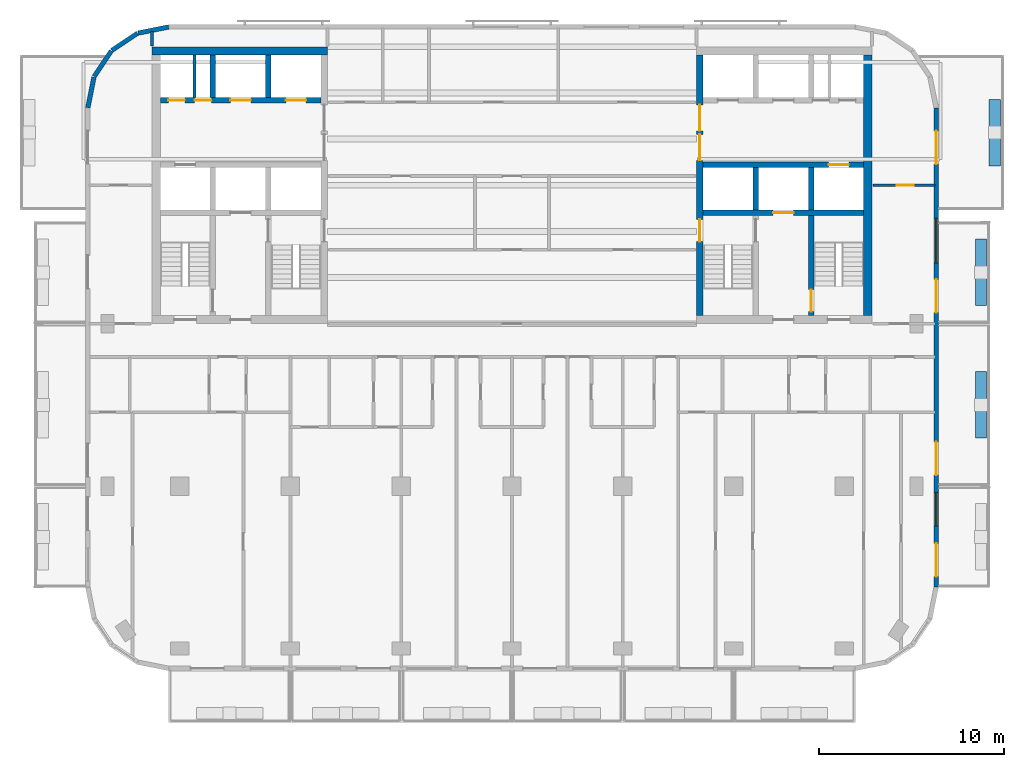
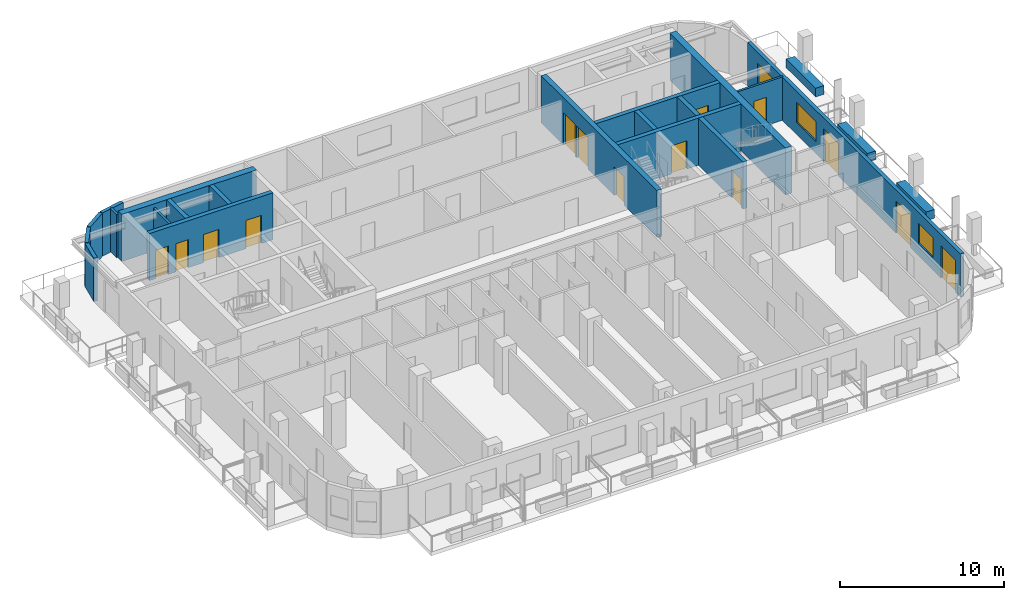
# One storey, part 6 of 11: 22 walls, 15 doors, 2 windows, 17 openings.
"""IFC4 building model written with IfcOpenShell, lengths in metres."""

from ifc_helpers import new_model, si_unit, direction, frame, frame_2d, origin, place, context, subcontext, project, spatial, rectangle, extrude, material, layer, layer_set, type_object, element, fill, save


model = new_model("IFC4")

# Units and contexts
model_context = context("Model", 3, precision=1e-05, world=origin(), true_north=direction((0.0, 1.0)))
body_context = subcontext(model_context, "Body", "Model", "MODEL_VIEW")
ifc_project = project(units=[si_unit("LENGTHUNIT", "METRE"), si_unit("AREAUNIT", "SQUARE_METRE"), si_unit("VOLUMEUNIT", "CUBIC_METRE"), si_unit("PLANEANGLEUNIT", "RADIAN"), si_unit("MASSUNIT", "GRAM", prefix="KILO")], contexts=[model_context])

# Site, building, storey
site_placement = place(None, origin())
site = spatial("IfcSite", under=ifc_project, at=site_placement, CompositionType="ELEMENT")
building_placement = place(site_placement, origin())
building = spatial("IfcBuilding", under=site, at=building_placement, Name="Torana Hotel and Residences", CompositionType="ELEMENT")
storey_placement = place(building_placement, frame((0.0, 0.0, 259.60009765625)))
storey = spatial("IfcBuildingStorey", under=building, at=storey_placement, Name="L68", CompositionType="ELEMENT", Elevation=259.60009765625)

# Wall, openings, doors
ifc_material_1 = material(Name="Concrete C60/75", Category="concrete")
ifc_layer_1 = layer(ifc_material_1, 0.300048828125)
ifc_layer_set_1 = layer_set([ifc_layer_1], Name="CORE WALL 300 C60/75")
wall_type_1 = type_object("IfcWallType", Name="CORE WALL 300 C60/75", PredefinedType="SHEAR", material=ifc_layer_set_1)
wall_1_placement = place(storey_placement, frame((-19.050048828125, -2.89990234375, 0.0), z_axis=(0.0, 0.0, 1.0), x_axis=(1.0, 0.0, 0.0)))
wall_1 = element("IfcWall", 1, at=wall_1_placement, inside=storey, type_object=wall_type_1, Name="Core wall W row-N", PredefinedType="SHEAR", context=body_context, shape_type="SweptSolid", body=[
    extrude(rectangle(XDim=8.699951171875, YDim=0.300048828125, at=frame_2d((4.35009765625, 0.0))), origin(), (0.0, 0.0, 1.0), 3.5),
])
opening_1_placement = place(wall_1_placement, frame((6.800048828125, 0.0, 0.0)))
opening_1 = element("IfcOpeningElement", 2, at=opening_1_placement, cuts=wall_1, Name="Opening LD", PredefinedType="OPENING", context=body_context, shape_type="SweptSolid", body=[
    extrude(rectangle(XDim=1.10009765625, YDim=2.10009765625, at=frame_2d((0.550048828125, 1.050048828125))), frame((0.0, 0.159912109375, 0.0), z_axis=(0.0, -1.0, 0.0), x_axis=(1.0, 0.0, 0.0)), (0.0, 0.0, 1.0), 0.320068359375),
])
opening_2_placement = place(wall_1_placement, frame((3.800048828125, 0.0, 0.0)))
opening_2 = element("IfcOpeningElement", 3, at=opening_2_placement, cuts=wall_1, Name="Opening LD", PredefinedType="OPENING", context=body_context, shape_type="SweptSolid", body=[
    extrude(rectangle(XDim=1.10009765625, YDim=2.10009765625, at=frame_2d((0.550048828125, 1.050048828125))), frame((0.0, 0.159912109375, 0.0), z_axis=(0.0, -1.0, 0.0), x_axis=(1.0, 0.0, 0.0)), (0.0, 0.0, 1.0), 0.320068359375),
])
opening_3_placement = place(wall_1_placement, frame((1.862548828125, 0.0, 0.0)))
opening_3 = element("IfcOpeningElement", 4, at=opening_3_placement, cuts=wall_1, Name="Opening L68-06", PredefinedType="OPENING", context=body_context, shape_type="SweptSolid", body=[
    extrude(rectangle(XDim=0.89990234375, YDim=2.10009765625, at=frame_2d((0.449951171875, 1.050048828125))), frame((0.0, 0.159912109375, 0.0), z_axis=(0.0, -1.0, 0.0), x_axis=(1.0, 0.0, 0.0)), (0.0, 0.0, 1.0), 0.320068359375),
])
opening_4_placement = place(wall_1_placement, frame((0.4375, 0.0, 0.0)))
opening_4 = element("IfcOpeningElement", 5, at=opening_4_placement, cuts=wall_1, Name="Opening L68-07", PredefinedType="OPENING", context=body_context, shape_type="SweptSolid", body=[
    extrude(rectangle(XDim=0.89990234375, YDim=2.10009765625, at=frame_2d((0.449951171875, 1.050048828125))), frame((0.0, 0.159912109375, 0.0), z_axis=(0.0, -1.0, 0.0), x_axis=(1.0, 0.0, 0.0)), (0.0, 0.0, 1.0), 0.320068359375),
])
ifc_material_2 = material(Name="Stainless steel 316", Category="steel")
door_type_1 = type_object("IfcDoorType", Name="LIFT LANDING DOOR LD 1100x2100", OperationType="DOUBLE_DOOR_SLIDING", PredefinedType="USERDEFINED", material=ifc_material_2)
door_1_placement = place(opening_1_placement, origin())
door_1 = element("IfcDoor", 6, at=door_1_placement, inside=storey, type_object=door_type_1, Name="Lift landing door H1 L68", ObjectType="LIFT LANDING DOOR", OperationType="DOUBLE_DOOR_SLIDING", OverallHeight=2.10009765625, OverallWidth=1.10009765625, PredefinedType="USERDEFINED", context=body_context, shape_type="SweptSolid", body=[
    extrude(rectangle(XDim=1.10009765625, YDim=2.10009765625, at=frame_2d((0.550048828125, 1.050048828125))), frame((0.0, 0.02490234375, 0.0), z_axis=(0.0, -1.0, 0.0), x_axis=(1.0, 0.0, 0.0)), (0.0, 0.0, 1.0), 0.050048828125),
])
fill(opening_1, door_1)
door_2_placement = place(opening_2_placement, origin())
door_2 = element("IfcDoor", 7, at=door_2_placement, inside=storey, type_object=door_type_1, Name="Lift landing door H2 L68", ObjectType="LIFT LANDING DOOR", OperationType="DOUBLE_DOOR_SLIDING", OverallHeight=2.10009765625, OverallWidth=1.10009765625, PredefinedType="USERDEFINED", context=body_context, shape_type="SweptSolid", body=[
    extrude(rectangle(XDim=1.10009765625, YDim=2.10009765625, at=frame_2d((0.550048828125, 1.050048828125))), frame((0.0, 0.02490234375, 0.0), z_axis=(0.0, -1.0, 0.0), x_axis=(1.0, 0.0, 0.0)), (0.0, 0.0, 1.0), 0.050048828125),
])
fill(opening_2, door_2)
ifc_material_3 = material(Name="Steel S235", Category="steel")
door_type_2 = type_object("IfcDoorType", Name="RISER ACCESS DOOR D5 900x2100", OperationType="SINGLE_SWING_LEFT", PredefinedType="DOOR", material=ifc_material_3)
door_3_placement = place(opening_3_placement, origin())
door_3 = element("IfcDoor", 8, at=door_3_placement, inside=storey, type_object=door_type_2, Name="N2A door L68", OperationType="SINGLE_SWING_LEFT", OverallHeight=2.10009765625, OverallWidth=0.89990234375, PredefinedType="DOOR", context=body_context, shape_type="SweptSolid", body=[
    extrude(rectangle(XDim=0.89990234375, YDim=2.10009765625, at=frame_2d((0.449951171875, 1.050048828125))), frame((0.0, 0.02490234375, 0.0), z_axis=(0.0, -1.0, 0.0), x_axis=(1.0, 0.0, 0.0)), (0.0, 0.0, 1.0), 0.050048828125),
])
fill(opening_3, door_3)
door_4_placement = place(opening_4_placement, origin())
door_4 = element("IfcDoor", 9, at=door_4_placement, inside=storey, type_object=door_type_2, Name="N2B door L68", OperationType="SINGLE_SWING_RIGHT", OverallHeight=2.10009765625, OverallWidth=0.89990234375, PredefinedType="DOOR", context=body_context, shape_type="SweptSolid", body=[
    extrude(rectangle(XDim=0.89990234375, YDim=2.10009765625, at=frame_2d((0.449951171875, 1.050048828125))), frame((0.0, 0.02490234375, 0.0), z_axis=(0.0, -1.0, 0.0), x_axis=(1.0, 0.0, 0.0)), (0.0, 0.0, 1.0), 0.050048828125),
])
fill(opening_4, door_4)

# Walls
for number, where, z_axis, x_axis, name in (
    (10, (-13.199951171875, -2.75, 0.0), (0.0, 0.0, 1.0), (0.0, 1.0, 0.0), "Core wall W x3.05-N"),
    (11, (-16.199951171875, -2.75, 0.0), (0.0, 0.0, 1.0), (0.0, 1.0, 0.0), "Core wall W x6.05-N"),
):
    element("IfcWall", number, at=place(storey_placement, frame(where, z_axis=z_axis, x_axis=x_axis)), inside=storey, type_object=wall_type_1, Name=name, PredefinedType="SHEAR", context=body_context, shape_type="SweptSolid", body=[
        extrude(rectangle(XDim=2.300048828125, YDim=0.300048828125, at=frame_2d((1.14990234375, 0.0))), origin(), (0.0, 0.0, 1.0), 3.5),
    ])

# Wall, opening, door
wall_2_placement = place(storey_placement, frame((10.35009765625, -6.39990234375, 0.0), z_axis=(0.0, 0.0, 1.0), x_axis=(1.0, 0.0, 0.0)))
wall_2 = element("IfcWall", 12, at=wall_2_placement, inside=storey, type_object=wall_type_1, Name="Core wall E row-S", PredefinedType="SHEAR", context=body_context, shape_type="SweptSolid", body=[
    extrude(rectangle(XDim=8.699951171875, YDim=0.300048828125, at=frame_2d((4.35009765625, 0.0))), origin(), (0.0, 0.0, 1.0), 3.5),
])
opening_5_placement = place(wall_2_placement, frame((6.800048828125, 0.0, 0.0)))
opening_5 = element("IfcOpeningElement", 13, at=opening_5_placement, cuts=wall_2, Name="Opening LD", PredefinedType="OPENING", context=body_context, shape_type="SweptSolid", body=[
    extrude(rectangle(XDim=1.10009765625, YDim=2.10009765625, at=frame_2d((0.550048828125, 1.050048828125))), frame((0.0, 0.159912109375, 0.0), z_axis=(0.0, -1.0, 0.0), x_axis=(1.0, 0.0, 0.0)), (0.0, 0.0, 1.0), 0.320068359375),
])
door_5_placement = place(opening_5_placement, origin())
door_5 = element("IfcDoor", 14, at=door_5_placement, inside=storey, type_object=door_type_1, Name="Lift landing door SV2 L68", ObjectType="LIFT LANDING DOOR", OperationType="DOUBLE_DOOR_SLIDING", OverallHeight=2.10009765625, OverallWidth=1.10009765625, PredefinedType="USERDEFINED", context=body_context, shape_type="SweptSolid", body=[
    extrude(rectangle(XDim=1.10009765625, YDim=2.10009765625, at=frame_2d((0.550048828125, 1.050048828125))), frame((0.0, 0.02490234375, 0.0), z_axis=(0.0, -1.0, 0.0), x_axis=(1.0, 0.0, 0.0)), (0.0, 0.0, 1.0), 0.050048828125),
])
fill(opening_5, door_5)

wall_3_placement = place(storey_placement, frame((10.35009765625, -9.0, 0.0), z_axis=(0.0, 0.0, 1.0), x_axis=(1.0, 0.0, 0.0)))
wall_3 = element("IfcWall", 15, at=wall_3_placement, inside=storey, type_object=wall_type_1, Name="Core wall E band", PredefinedType="SHEAR", context=body_context, shape_type="SweptSolid", body=[
    extrude(rectangle(XDim=8.699951171875, YDim=0.300048828125, at=frame_2d((4.35009765625, 0.0))), origin(), (0.0, 0.0, 1.0), 3.5),
])
opening_6_placement = place(wall_3_placement, frame((3.800048828125, 0.0, 0.0)))
opening_6 = element("IfcOpeningElement", 16, at=opening_6_placement, cuts=wall_3, Name="Opening LD", PredefinedType="OPENING", context=body_context, shape_type="SweptSolid", body=[
    extrude(rectangle(XDim=1.10009765625, YDim=2.10009765625, at=frame_2d((0.550048828125, 1.050048828125))), frame((0.0, 0.159912109375, 0.0), z_axis=(0.0, -1.0, 0.0), x_axis=(1.0, 0.0, 0.0)), (0.0, 0.0, 1.0), 0.320068359375),
])
door_6_placement = place(opening_6_placement, origin())
door_6 = element("IfcDoor", 17, at=door_6_placement, inside=storey, type_object=door_type_1, Name="Lift landing door FF2 L68", ObjectType="LIFT LANDING DOOR", OperationType="DOUBLE_DOOR_SLIDING", OverallHeight=2.10009765625, OverallWidth=1.10009765625, PredefinedType="USERDEFINED", context=body_context, shape_type="SweptSolid", body=[
    extrude(rectangle(XDim=1.10009765625, YDim=2.10009765625, at=frame_2d((0.550048828125, 1.050048828125))), frame((0.0, 0.02490234375, 0.0), z_axis=(0.0, -1.0, 0.0), x_axis=(1.0, 0.0, 0.0)), (0.0, 0.0, 1.0), 0.050048828125),
])
fill(opening_6, door_6)

# Walls
for number, where, z_axis, x_axis, name in (
    (18, (13.199951171875, -8.85009765625, 0.0), (0.0, 0.0, 1.0), (0.0, 1.0, 0.0), "Core wall E x3.05-S"),
    (19, (16.199951171875, -8.85009765625, 0.0), (0.0, 0.0, 1.0), (0.0, 1.0, 0.0), "Core wall E x6.05-S"),
):
    element("IfcWall", number, at=place(storey_placement, frame(where, z_axis=z_axis, x_axis=x_axis)), inside=storey, type_object=wall_type_1, Name=name, PredefinedType="SHEAR", context=body_context, shape_type="SweptSolid", body=[
        extrude(rectangle(XDim=2.300048828125, YDim=0.300048828125, at=frame_2d((1.14990234375, 0.0))), origin(), (0.0, 0.0, 1.0), 3.5),
    ])

# Wall, opening, door
wall_4_placement = place(storey_placement, frame((16.199951171875, -14.550048828125, 0.0), z_axis=(0.0, 0.0, 1.0), x_axis=(0.0, 1.0, 0.0)))
wall_4 = element("IfcWall", 20, at=wall_4_placement, inside=storey, type_object=wall_type_1, Name="Core wall E x6.05-band", PredefinedType="SHEAR", context=body_context, shape_type="SweptSolid", body=[
    extrude(rectangle(XDim=5.400146484375, YDim=0.300048828125, at=frame_2d((2.7001953125, 0.0))), origin(), (0.0, 0.0, 1.0), 3.5),
])
opening_7_placement = place(wall_4_placement, frame((0.199951171875, 0.0, 0.0)))
opening_7 = element("IfcOpeningElement", 21, at=opening_7_placement, cuts=wall_4, Name="Opening L68-18", PredefinedType="OPENING", context=body_context, shape_type="SweptSolid", body=[
    extrude(rectangle(XDim=1.199951171875, YDim=2.10009765625, at=frame_2d((0.60009765625, 1.050048828125))), frame((0.0, 0.159912109375, 0.0), z_axis=(0.0, -1.0, 0.0), x_axis=(1.0, 0.0, 0.0)), (0.0, 0.0, 1.0), 0.320068359375),
])
ifc_material_4 = material(Name="Steel S235", Category="steel")
door_type_3 = type_object("IfcDoorType", Name="STAIR FIRE DOOR D3 1200x2100", OperationType="SINGLE_SWING_LEFT", PredefinedType="DOOR", material=ifc_material_4)
door_7_placement = place(opening_7_placement, frame((0.60009765625, 0.0, 0.0), z_axis=(0.0, 0.0, 1.0), x_axis=(-1.0, 0.0, 0.0)))
door_7 = element("IfcDoor", 22, at=door_7_placement, inside=storey, type_object=door_type_3, Name="Stair-B-lobby door L68", OperationType="SINGLE_SWING_LEFT", OverallHeight=2.10009765625, OverallWidth=1.199951171875, PredefinedType="DOOR", context=body_context, shape_type="SweptSolid", body=[
    extrude(rectangle(XDim=1.199951171875, YDim=2.10009765625, at=frame_2d((0.0, 1.050048828125))), frame((0.0, -0.02490234375, 0.0), z_axis=(0.0, 1.0, 0.0), x_axis=(-1.0, 0.0, 0.0)), (0.0, 0.0, 1.0), 0.050048828125),
])
fill(opening_7, door_7)

# Wall, openings, doors
ifc_material_5 = material(Name="Concrete C60/75", Category="concrete")
ifc_layer_2 = layer(ifc_material_5, 0.35009765625)
ifc_layer_set_2 = layer_set([ifc_layer_2], Name="CORE WALL 350 C60/75")
wall_type_2 = type_object("IfcWallType", Name="CORE WALL 350 C60/75", PredefinedType="SHEAR", material=ifc_layer_set_2)
wall_5_placement = place(storey_placement, frame((10.175048828125, -14.550048828125, 0.0), z_axis=(0.0, 0.0, 1.0), x_axis=(0.0, 1.0, 0.0)))
wall_5 = element("IfcWall", 23, at=wall_5_placement, inside=storey, type_object=wall_type_2, Name="Core wall E arch", PredefinedType="SHEAR", context=body_context, shape_type="SweptSolid", body=[
    extrude(rectangle(XDim=14.10009765625, YDim=0.35009765625, at=frame_2d((7.050048828125, 0.0))), origin(), (0.0, 0.0, 1.0), 3.5),
])
opening_8_placement = place(wall_5_placement, frame((8.39990234375, 0.0, 0.0)))
opening_8 = element("IfcOpeningElement", 24, at=opening_8_placement, cuts=wall_5, Name="Opening L68-10", PredefinedType="OPENING", context=body_context, shape_type="SweptSolid", body=[
    extrude(rectangle(XDim=1.39990234375, YDim=2.39990234375, at=frame_2d((0.699951171875, 1.199951171875))), frame((0.0, 0.18505859375, 0.0), z_axis=(0.0, -1.0, 0.0), x_axis=(1.0, 0.0, 0.0)), (0.0, 0.0, 1.0), 0.3701171875),
])
opening_9_placement = place(wall_5_placement, frame((10.0, 0.0, 0.0)))
opening_9 = element("IfcOpeningElement", 25, at=opening_9_placement, cuts=wall_5, Name="Opening L68-11", PredefinedType="OPENING", context=body_context, shape_type="SweptSolid", body=[
    extrude(rectangle(XDim=1.39990234375, YDim=2.39990234375, at=frame_2d((0.699951171875, 1.199951171875))), frame((0.0, 0.18505859375, 0.0), z_axis=(0.0, -1.0, 0.0), x_axis=(1.0, 0.0, 0.0)), (0.0, 0.0, 1.0), 0.3701171875),
])
opening_10_placement = place(wall_5_placement, frame((4.0, 0.0, 0.0)))
opening_10 = element("IfcOpeningElement", 26, at=opening_10_placement, cuts=wall_5, Name="Opening L68-12", PredefinedType="OPENING", context=body_context, shape_type="SweptSolid", body=[
    extrude(rectangle(XDim=1.199951171875, YDim=2.10009765625, at=frame_2d((0.60009765625, 1.050048828125))), frame((0.0, 0.18505859375, 0.0), z_axis=(0.0, -1.0, 0.0), x_axis=(1.0, 0.0, 0.0)), (0.0, 0.0, 1.0), 0.3701171875),
])
ifc_material_6 = material(Name="Steel S235", Category="steel")
door_type_4 = type_object("IfcDoorType", Name="LOBBY FIRE DOOR D4 1400x2400", OperationType="DOUBLE_DOOR_SINGLE_SWING", PredefinedType="DOOR", material=ifc_material_6)
door_8_placement = place(opening_8_placement, origin())
door_8 = element("IfcDoor", 27, at=door_8_placement, inside=storey, type_object=door_type_4, Name="Lobby-1 door L68", OperationType="DOUBLE_DOOR_SINGLE_SWING", OverallHeight=2.39990234375, OverallWidth=1.39990234375, PredefinedType="DOOR", context=body_context, shape_type="SweptSolid", body=[
    extrude(rectangle(XDim=1.39990234375, YDim=2.39990234375, at=frame_2d((0.699951171875, 1.199951171875))), frame((0.0, 0.02490234375, 0.0), z_axis=(0.0, -1.0, 0.0), x_axis=(1.0, 0.0, 0.0)), (0.0, 0.0, 1.0), 0.050048828125),
])
fill(opening_8, door_8)
door_9_placement = place(opening_9_placement, origin())
door_9 = element("IfcDoor", 28, at=door_9_placement, inside=storey, type_object=door_type_4, Name="Lobby-2 door L68", OperationType="DOUBLE_DOOR_SINGLE_SWING", OverallHeight=2.39990234375, OverallWidth=1.39990234375, PredefinedType="DOOR", context=body_context, shape_type="SweptSolid", body=[
    extrude(rectangle(XDim=1.39990234375, YDim=2.39990234375, at=frame_2d((0.699951171875, 1.199951171875))), frame((0.0, 0.02490234375, 0.0), z_axis=(0.0, -1.0, 0.0), x_axis=(1.0, 0.0, 0.0)), (0.0, 0.0, 1.0), 0.050048828125),
])
fill(opening_9, door_9)
door_10_placement = place(opening_10_placement, frame((0.60009765625, 0.0, 0.0), z_axis=(0.0, 0.0, 1.0), x_axis=(-1.0, 0.0, 0.0)))
door_10 = element("IfcDoor", 29, at=door_10_placement, inside=storey, type_object=door_type_3, Name="Stair-A door L68", OperationType="SINGLE_SWING_RIGHT", OverallHeight=2.10009765625, OverallWidth=1.199951171875, PredefinedType="DOOR", context=body_context, shape_type="SweptSolid", body=[
    extrude(rectangle(XDim=1.199951171875, YDim=2.10009765625, at=frame_2d((0.0, 1.050048828125))), frame((0.0, -0.02490234375, 0.0), z_axis=(0.0, 1.0, 0.0), x_axis=(-1.0, 0.0, 0.0)), (0.0, 0.0, 1.0), 0.050048828125),
])
fill(opening_10, door_10)

# Walls
ifc_material_7 = material(Name="Concrete C60/75", Category="concrete")
ifc_layer_3 = layer(ifc_material_7, 0.449951171875)
ifc_layer_set_3 = layer_set([ifc_layer_3], Name="CORE WALL 450 C60/75")
wall_type_3 = type_object("IfcWallType", Name="CORE WALL 450 C60/75", PredefinedType="SHEAR", material=ifc_layer_set_3)
wall_6_placement = place(storey_placement, frame((-19.5, -0.22509765625, 0.0), z_axis=(0.0, 0.0, 1.0), x_axis=(1.0, 0.0, 0.0)))
element("IfcWall", 30, at=wall_6_placement, inside=storey, type_object=wall_type_3, Name="Core wall W rear", PredefinedType="SHEAR", context=body_context, shape_type="SweptSolid", body=[
    extrude(rectangle(XDim=9.5, YDim=0.449951171875, at=frame_2d((4.75, 0.0))), origin(), (0.0, 0.0, 1.0), 3.5),
])
wall_7_placement = place(storey_placement, frame((19.27490234375, -14.550048828125, 0.0), z_axis=(0.0, 0.0, 1.0), x_axis=(0.0, 1.0, 0.0)))
element("IfcWall", 31, at=wall_7_placement, inside=storey, type_object=wall_type_3, Name="Core wall E outer", PredefinedType="SHEAR", context=body_context, shape_type="SweptSolid", body=[
    extrude(rectangle(XDim=14.10009765625, YDim=0.449951171875, at=frame_2d((7.050048828125, 0.0))), origin(), (0.0, 0.0, 1.0), 3.5),
])
ifc_material_8 = material(Name="Black aluminium composite panel", Category="aluminium")
ifc_layer_4 = layer(ifc_material_8, 0.00390625, Name="Cladding", Category="cladding")
ifc_material_9 = material(Name="Ventilated air cavity")
ifc_layer_5 = layer(ifc_material_9, 0.0400390625, Name="Ventilated cavity", Category="cavity")
ifc_material_10 = material(Name="Mineral wool insulation")
ifc_layer_6 = layer(ifc_material_10, 0.090087890625, Name="Insulation", Category="insulation")
ifc_material_11 = material(Name="Steel S280GD", Category="steel")
ifc_layer_7 = layer(ifc_material_11, 0.092041015625, Name="Steel stud frame", Category="structure")
ifc_material_12 = material(Name="Fire rated plasterboard")
ifc_layer_8 = layer(ifc_material_12, 0.011962890625, Name="Inner board", Category="finish")
ifc_layer_9 = layer(ifc_material_12, 0.011962890625, Name="Second board", Category="finish")
ifc_layer_set_4 = layer_set([ifc_layer_4, ifc_layer_5, ifc_layer_6, ifc_layer_7, ifc_layer_8, ifc_layer_9], Name="EW1 EXTERNAL WALL BLACK METAL CLAD 250")
wall_type_4 = type_object("IfcWallType", Name="EW1 EXTERNAL WALL BLACK METAL CLAD 250", PredefinedType="SOLIDWALL", material=ifc_layer_set_4)
wall_8_placement = place(storey_placement, frame((-18.599853515625, 1.072509765625, 0.0), z_axis=(0.0, 0.0, 1.0), x_axis=(-0.980797896849, -0.195026884138, 0.0)))
element("IfcWall", 32, at=wall_8_placement, inside=storey, type_object=wall_type_4, Name="External wall L68 e0.5", PredefinedType="SOLIDWALL", context=body_context, shape_type="SweptSolid", body=[
    extrude(rectangle(XDim=1.68115234375, YDim=0.25, at=frame_2d((0.840576171875, 0.0))), origin(), (0.0, 0.0, 1.0), 3.219970703125),
])
for number, where, z_axis, x_axis, name in (
    (33, (-20.2939453125, 0.725830078125, 0.0), (0.0, 0.0, 1.0), (-0.831482937015, -0.55555029066, 0.0), "External wall L68 e0.6"),
    (34, (-21.705810546875, -0.228759765625, 0.0), (0.0, 0.0, 1.0), (-0.55555029066, -0.831482937015, 0.0), "External wall L68 e0.7"),
):
    element("IfcWall", number, at=place(storey_placement, frame(where, z_axis=z_axis, x_axis=x_axis)), inside=storey, type_object=wall_type_4, Name=name, PredefinedType="SOLIDWALL", context=body_context, shape_type="SweptSolid", body=[
        extrude(rectangle(XDim=1.65625, YDim=0.25, at=frame_2d((0.828125, 0.0))), origin(), (0.0, 0.0, 1.0), 3.219970703125),
    ])
wall_9_placement = place(storey_placement, frame((-22.64453125, -1.651123046875, 0.0), z_axis=(0.0, 0.0, 1.0), x_axis=(-0.19513878023, -0.980775640221, 0.0)))
element("IfcWall", 35, at=wall_9_placement, inside=storey, type_object=wall_type_4, Name="External wall L68 e0.8", PredefinedType="SOLIDWALL", context=body_context, shape_type="SweptSolid", body=[
    extrude(rectangle(XDim=1.681396484375, YDim=0.25, at=frame_2d((0.8408203125, 0.0))), origin(), (0.0, 0.0, 1.0), 3.219970703125),
])

# Wall, openings, doors, windows
wall_10_placement = place(storey_placement, frame((22.97509765625, -29.275390625, 0.0), z_axis=(0.0, 0.0, 1.0), x_axis=(0.0, 1.0, 0.0)))
wall_10 = element("IfcWall", 36, at=wall_10_placement, inside=storey, type_object=wall_type_4, Name="External wall L68 e0.19", PredefinedType="SOLIDWALL", context=body_context, shape_type="SweptSolid", body=[
    extrude(rectangle(XDim=25.95068359375, YDim=0.25, at=frame_2d((12.975341796875, 0.0))), origin(), (0.0, 0.0, 1.0), 3.219970703125),
])
opening_11_placement = place(wall_10_placement, frame((0.575439453125, 0.0, 0.0)))
opening_11 = element("IfcOpeningElement", 37, at=opening_11_placement, cuts=wall_10, Name="Opening L68-E07", PredefinedType="OPENING", context=body_context, shape_type="SweptSolid", body=[
    extrude(rectangle(XDim=1.800048828125, YDim=2.39990234375, at=frame_2d((0.89990234375, 1.199951171875))), frame((0.0, 0.135009765625, 0.0), z_axis=(0.0, -1.0, 0.0), x_axis=(1.0, 0.0, 0.0)), (0.0, 0.0, 1.0), 0.27001953125),
])
opening_12_placement = place(wall_10_placement, frame((3.325439453125, 0.0, 0.89990234375)))
opening_12 = element("IfcOpeningElement", 38, at=opening_12_placement, cuts=wall_10, Name="Opening W4", PredefinedType="OPENING", context=body_context, shape_type="SweptSolid", body=[
    extrude(rectangle(XDim=1.800048828125, YDim=1.5, at=frame_2d((0.89990234375, 0.75))), frame((0.0, 0.135009765625, 0.0), z_axis=(0.0, -1.0, 0.0), x_axis=(1.0, 0.0, 0.0)), (0.0, 0.0, 1.0), 0.27001953125),
])
opening_13_placement = place(wall_10_placement, frame((6.075439453125, 0.0, 0.0)))
opening_13 = element("IfcOpeningElement", 39, at=opening_13_placement, cuts=wall_10, Name="Opening L68-E08", PredefinedType="OPENING", context=body_context, shape_type="SweptSolid", body=[
    extrude(rectangle(XDim=1.800048828125, YDim=2.39990234375, at=frame_2d((0.89990234375, 1.199951171875))), frame((0.0, 0.135009765625, 0.0), z_axis=(0.0, -1.0, 0.0), x_axis=(1.0, 0.0, 0.0)), (0.0, 0.0, 1.0), 0.27001953125),
])
opening_14_placement = place(wall_10_placement, frame((14.87548828125, 0.0, 0.0)))
opening_14 = element("IfcOpeningElement", 40, at=opening_14_placement, cuts=wall_10, Name="Opening L68-E09", PredefinedType="OPENING", context=body_context, shape_type="SweptSolid", body=[
    extrude(rectangle(XDim=1.800048828125, YDim=2.39990234375, at=frame_2d((0.89990234375, 1.199951171875))), frame((0.0, 0.135009765625, 0.0), z_axis=(0.0, -1.0, 0.0), x_axis=(1.0, 0.0, 0.0)), (0.0, 0.0, 1.0), 0.27001953125),
])
opening_15_placement = place(wall_10_placement, frame((17.575439453125, 0.0, 0.89990234375)))
opening_15 = element("IfcOpeningElement", 41, at=opening_15_placement, cuts=wall_10, Name="Opening W3", PredefinedType="OPENING", context=body_context, shape_type="SweptSolid", body=[
    extrude(rectangle(XDim=2.39990234375, YDim=1.5, at=frame_2d((1.199951171875, 0.75))), frame((0.0, 0.135009765625, 0.0), z_axis=(0.0, -1.0, 0.0), x_axis=(1.0, 0.0, 0.0)), (0.0, 0.0, 1.0), 0.27001953125),
])
opening_16_placement = place(wall_10_placement, frame((22.92529296875, 0.0, 0.0)))
opening_16 = element("IfcOpeningElement", 42, at=opening_16_placement, cuts=wall_10, Name="Opening L68-E10", PredefinedType="OPENING", context=body_context, shape_type="SweptSolid", body=[
    extrude(rectangle(XDim=1.800048828125, YDim=2.39990234375, at=frame_2d((0.89990234375, 1.199951171875))), frame((0.0, 0.135009765625, 0.0), z_axis=(0.0, -1.0, 0.0), x_axis=(1.0, 0.0, 0.0)), (0.0, 0.0, 1.0), 0.27001953125),
])
ifc_material_13 = material(Name="Dark glass in black aluminium frame", Category="aluminium")
door_type_5 = type_object("IfcDoorType", Name="DB1 BALCONY DOOR 1800x2400", OperationType="DOUBLE_DOOR_SINGLE_SWING", PredefinedType="DOOR", material=ifc_material_13)
door_11_placement = place(opening_11_placement, origin())
door_11 = element("IfcDoor", 43, at=door_11_placement, inside=storey, type_object=door_type_5, Name="Balcony door L68", OperationType="DOUBLE_DOOR_SINGLE_SWING", OverallHeight=2.39990234375, OverallWidth=1.800048828125, PredefinedType="DOOR", context=body_context, shape_type="SweptSolid", body=[
    extrude(rectangle(XDim=1.800048828125, YDim=2.39990234375, at=frame_2d((0.89990234375, 1.199951171875))), frame((0.0, 0.02490234375, 0.0), z_axis=(0.0, -1.0, 0.0), x_axis=(1.0, 0.0, 0.0)), (0.0, 0.0, 1.0), 0.050048828125),
])
fill(opening_11, door_11)
door_12_placement = place(opening_13_placement, origin())
door_12 = element("IfcDoor", 44, at=door_12_placement, inside=storey, type_object=door_type_5, Name="Balcony door L68", OperationType="DOUBLE_DOOR_SINGLE_SWING", OverallHeight=2.39990234375, OverallWidth=1.800048828125, PredefinedType="DOOR", context=body_context, shape_type="SweptSolid", body=[
    extrude(rectangle(XDim=1.800048828125, YDim=2.39990234375, at=frame_2d((0.89990234375, 1.199951171875))), frame((0.0, 0.02490234375, 0.0), z_axis=(0.0, -1.0, 0.0), x_axis=(1.0, 0.0, 0.0)), (0.0, 0.0, 1.0), 0.050048828125),
])
fill(opening_13, door_12)
door_13_placement = place(opening_14_placement, origin())
door_13 = element("IfcDoor", 45, at=door_13_placement, inside=storey, type_object=door_type_5, Name="Balcony door L68", OperationType="DOUBLE_DOOR_SINGLE_SWING", OverallHeight=2.39990234375, OverallWidth=1.800048828125, PredefinedType="DOOR", context=body_context, shape_type="SweptSolid", body=[
    extrude(rectangle(XDim=1.800048828125, YDim=2.39990234375, at=frame_2d((0.89990234375, 1.199951171875))), frame((0.0, 0.02490234375, 0.0), z_axis=(0.0, -1.0, 0.0), x_axis=(1.0, 0.0, 0.0)), (0.0, 0.0, 1.0), 0.050048828125),
])
fill(opening_14, door_13)
door_14_placement = place(opening_16_placement, origin())
door_14 = element("IfcDoor", 46, at=door_14_placement, inside=storey, type_object=door_type_5, Name="Balcony door L68", OperationType="DOUBLE_DOOR_SINGLE_SWING", OverallHeight=2.39990234375, OverallWidth=1.800048828125, PredefinedType="DOOR", context=body_context, shape_type="SweptSolid", body=[
    extrude(rectangle(XDim=1.800048828125, YDim=2.39990234375, at=frame_2d((0.89990234375, 1.199951171875))), frame((0.0, 0.02490234375, 0.0), z_axis=(0.0, -1.0, 0.0), x_axis=(1.0, 0.0, 0.0)), (0.0, 0.0, 1.0), 0.050048828125),
])
fill(opening_16, door_14)
ifc_material_14 = material(Name="Dark glass in black aluminium frame", Category="aluminium")
window_type_1 = type_object("IfcWindowType", Name="W3 RESIDENCE WINDOW 2400x1500", PartitioningType="SINGLE_PANEL", PredefinedType="WINDOW", material=ifc_material_14)
window_1_placement = place(opening_15_placement, origin())
window_1 = element("IfcWindow", 47, at=window_1_placement, inside=storey, type_object=window_type_1, Name="Window L68", OverallHeight=1.5, OverallWidth=2.39990234375, PartitioningType="SINGLE_PANEL", PredefinedType="WINDOW", context=body_context, shape_type="SweptSolid", body=[
    extrude(rectangle(XDim=2.39990234375, YDim=1.5, at=frame_2d((1.199951171875, 0.75))), frame((0.0, 0.030029296875, 0.0), z_axis=(0.0, -1.0, 0.0), x_axis=(1.0, 0.0, 0.0)), (0.0, 0.0, 1.0), 0.06005859375),
])
fill(opening_15, window_1)
ifc_material_15 = material(Name="Dark glass in black aluminium frame", Category="aluminium")
window_type_2 = type_object("IfcWindowType", Name="W4 RESIDENCE WINDOW NARROW 1800x1500", PartitioningType="SINGLE_PANEL", PredefinedType="WINDOW", material=ifc_material_15)
window_2_placement = place(opening_12_placement, origin())
window_2 = element("IfcWindow", 48, at=window_2_placement, inside=storey, type_object=window_type_2, Name="Window L68", OverallHeight=1.5, OverallWidth=1.800048828125, PartitioningType="SINGLE_PANEL", PredefinedType="WINDOW", context=body_context, shape_type="SweptSolid", body=[
    extrude(rectangle(XDim=1.800048828125, YDim=1.5, at=frame_2d((0.89990234375, 0.75))), frame((0.0, 0.030029296875, 0.0), z_axis=(0.0, -1.0, 0.0), x_axis=(1.0, 0.0, 0.0)), (0.0, 0.0, 1.0), 0.06005859375),
])
fill(opening_12, window_2)

# Walls
ifc_material_16 = material(Name="Gypsum plaster")
ifc_layer_10 = layer(ifc_material_16, 0.014892578125, Name="Plaster", Category="finish")
ifc_material_17 = material(Name="Concrete blockwork", Category="masonry")
ifc_layer_11 = layer(ifc_material_17, 0.1201171875, Name="Blockwork", Category="structure")
ifc_layer_12 = layer(ifc_material_16, 0.014892578125, Name="Plaster", Category="finish")
ifc_layer_set_5 = layer_set([ifc_layer_10, ifc_layer_11, ifc_layer_12], Name="FIRE PARTITION 150 BLOCKWORK")
wall_type_5 = type_object("IfcWallType", Name="FIRE PARTITION 150 BLOCKWORK", PredefinedType="PARTITIONING", material=ifc_layer_set_5)
wall_11_placement = place(storey_placement, frame((-17.199951171875, -2.75, 0.0), z_axis=(0.0, 0.0, 1.0), x_axis=(0.0, 1.0, 0.0)))
element("IfcWall", 49, at=wall_11_placement, inside=storey, type_object=wall_type_5, Name="Core partition L68", PredefinedType="PARTITIONING", context=body_context, shape_type="SweptSolid", body=[
    extrude(rectangle(XDim=2.300048828125, YDim=0.14990234375, at=frame_2d((1.14990234375, 0.0))), origin(), (0.0, 0.0, 1.0), 3.199951171875),
])
ifc_material_18 = material(Name="Gypsum plasterboard")
ifc_layer_13 = layer(ifc_material_18, 0.012451171875, Name="Plasterboard", Category="finish")
ifc_layer_14 = layer(ifc_material_18, 0.012451171875, Name="Plasterboard", Category="finish")
ifc_layer_15 = layer(ifc_material_11, 0.10009765625, Name="Steel studs with mineral wool", Category="insulation")
ifc_layer_16 = layer(ifc_material_18, 0.012451171875, Name="Plasterboard", Category="finish")
ifc_layer_17 = layer(ifc_material_18, 0.012451171875, Name="Plasterboard", Category="finish")
ifc_layer_set_6 = layer_set([ifc_layer_13, ifc_layer_14, ifc_layer_15, ifc_layer_16, ifc_layer_17], Name="PARTITION 150 PLASTERBOARD")
wall_type_6 = type_object("IfcWallType", Name="PARTITION 150 PLASTERBOARD", PredefinedType="PARTITIONING", material=ifc_layer_set_6)
wall_12_placement = place(storey_placement, frame((-19.5, 0.050048828125, 0.0), z_axis=(0.0, 0.0, 1.0), x_axis=(0.0, 1.0, 0.0)))
element("IfcWall", 50, at=wall_12_placement, inside=storey, type_object=wall_type_6, Name="Partition L68", PredefinedType="PARTITIONING", context=body_context, shape_type="SweptSolid", body=[
    extrude(rectangle(XDim=0.787353515625, YDim=0.14990234375, at=frame_2d((0.3935546875, 0.0))), origin(), (0.0, 0.0, 1.0), 3.219970703125),
])

# Wall, opening, door
wall_13_placement = place(storey_placement, frame((19.550048828125, -7.5, 0.0), z_axis=(0.0, 0.0, 1.0), x_axis=(1.0, 0.0, 0.0)))
wall_13 = element("IfcWall", 51, at=wall_13_placement, inside=storey, type_object=wall_type_6, Name="Partition L68", PredefinedType="PARTITIONING", context=body_context, shape_type="SweptSolid", body=[
    extrude(rectangle(XDim=3.369873046875, YDim=0.14990234375, at=frame_2d((1.68505859375, 0.0))), origin(), (0.0, 0.0, 1.0), 3.219970703125),
])
opening_17_placement = place(wall_13_placement, frame((1.300048828125, 0.0, 0.0)))
opening_17 = element("IfcOpeningElement", 52, at=opening_17_placement, cuts=wall_13, Name="Opening L68-62", PredefinedType="OPENING", context=body_context, shape_type="SweptSolid", body=[
    extrude(rectangle(XDim=0.89990234375, YDim=2.10009765625, at=frame_2d((0.449951171875, 1.050048828125))), frame((0.0, 0.0849609375, 0.0), z_axis=(0.0, -1.0, 0.0), x_axis=(1.0, 0.0, 0.0)), (0.0, 0.0, 1.0), 0.169921875),
])
ifc_material_19 = material(Name="Timber door, oiled ash", Category="wood")
door_type_6 = type_object("IfcDoorType", Name="ROOM DOOR D7 900x2100", OperationType="SINGLE_SWING_LEFT", PredefinedType="DOOR", material=ifc_material_19)
door_15_placement = place(opening_17_placement, origin())
door_15 = element("IfcDoor", 53, at=door_15_placement, inside=storey, type_object=door_type_6, Name="Door L68", OperationType="SINGLE_SWING_LEFT", OverallHeight=2.10009765625, OverallWidth=0.89990234375, PredefinedType="DOOR", context=body_context, shape_type="SweptSolid", body=[
    extrude(rectangle(XDim=0.89990234375, YDim=2.10009765625, at=frame_2d((0.449951171875, 1.050048828125))), frame((0.0, 0.02490234375, 0.0), z_axis=(0.0, -1.0, 0.0), x_axis=(1.0, 0.0, 0.0)), (0.0, 0.0, 1.0), 0.050048828125),
])
fill(opening_17, door_15)

# Walls
ifc_material_20 = material(Name="Concrete C40/50 precast", Category="concrete")
ifc_layer_18 = layer(ifc_material_20, 0.10009765625, Name="Planter shell", Category="structure")
ifc_material_21 = material(Name="Root resistant membrane")
ifc_layer_19 = layer(ifc_material_21, 0.00390625, Name="Waterproofing membrane", Category="membrane")
ifc_material_22 = material(Name="Drainage board with filter fleece")
ifc_layer_20 = layer(ifc_material_22, 0.02001953125, Name="Drainage board", Category="drainage")
ifc_material_23 = material(Name="Growing medium")
ifc_layer_21 = layer(ifc_material_23, 0.47607421875, Name="Planting substrate", Category="soil")
ifc_layer_set_7 = layer_set([ifc_layer_18, ifc_layer_19, ifc_layer_20, ifc_layer_21], Name="PL1 BALCONY PLANTER 600")
wall_type_7 = type_object("IfcWallType", Name="PL1 BALCONY PLANTER 600", PredefinedType="USERDEFINED", material=ifc_layer_set_7)
for number, where, z_axis, x_axis, name in (
    (54, (25.39990234375, -17.60009765625, 0.0), (0.0, 0.0, 1.0), (0.0, -1.0, 0.0), "Planter 12"),
    (55, (25.39990234375, -10.425048828125, 0.0), (0.0, 0.0, 1.0), (0.0, -1.0, 0.0), "Planter 13"),
    (56, (26.14990234375, -2.85009765625, 0.0), (0.0, 0.0, 1.0), (0.0, -1.0, 0.0), "Planter 14"),
):
    element("IfcWall", number, at=place(storey_placement, frame(where, z_axis=z_axis, x_axis=x_axis)), inside=storey, type_object=wall_type_7, Name=name, ObjectType="PLANTER", PredefinedType="USERDEFINED", context=body_context, shape_type="SweptSolid", body=[
        extrude(rectangle(XDim=3.599853515625, YDim=0.60009765625, at=frame_2d((1.7998046875, 0.0))), origin(), (0.0, 0.0, 1.0), 0.64990234375),
    ])

save(model, "model.ifc")
